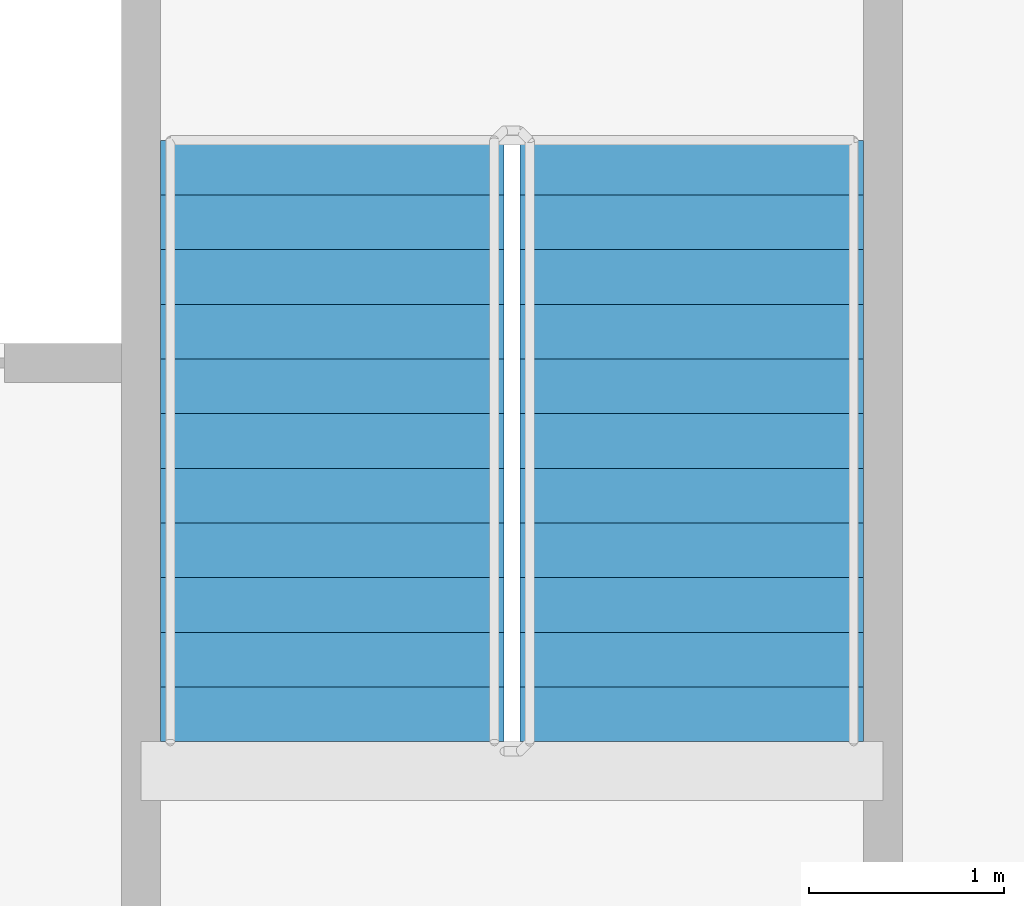
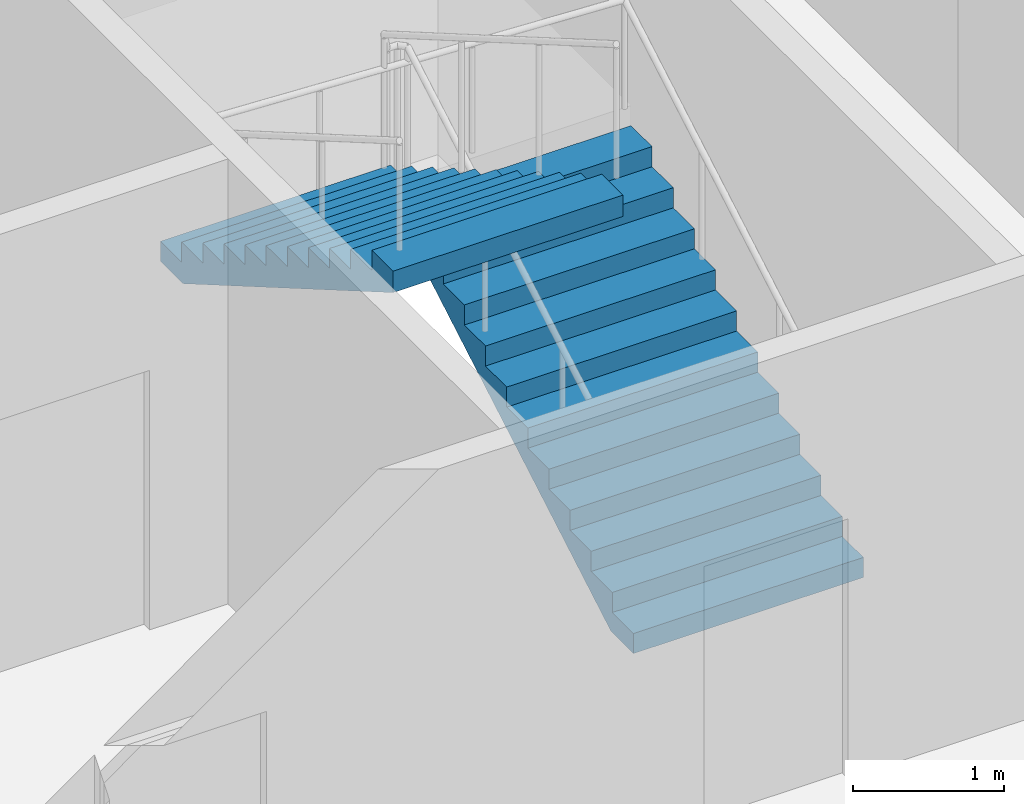
# One storey, part 10 of 11: 2 stair flights, 1 element without a shape of its own.
"""IFC4 building model written with IfcOpenShell, lengths in metres."""

import ifcopenshell
import ifcopenshell.guid

model = None  # the IFC model being written
_history = None  # IfcOwnerHistory: only IFC2X3 demands one
_inside = {}  # id of a spatial element -> (the spatial element, [elements in it])
_under = {}  # id of a project, library or spatial element -> (it, [spatial elements below it])
_declared = {}  # id of a project -> (the project, [libraries it declares])
_typed = {}  # id of a type object -> (the type object, [elements of that type])
_made_of = {}  # id of a material, layer set ... -> (it, [elements and type objects made of it])


def new_model(schema):
    """Start an empty IFC model of exactly this schema.

    Asked for "IFC4X3", IfcOpenShell would pick the latest addendum, in which some entities
    have other attributes; the version numbers below select the first issue.
    IFC2X3 requires an IfcOwnerHistory on every rooted entity: one is made here for all.
    """
    global model, _history
    if schema == "IFC4X3":
        model = ifcopenshell.file(schema_version=(4, 3, 0, 0))
    else:
        model = ifcopenshell.file(schema=schema)
    _inside.clear()
    _under.clear()
    _declared.clear()
    _typed.clear()
    _made_of.clear()
    _history = None
    if model.schema == "IFC2X3":
        org = make("IfcOrganization", Name="unknown")
        user = make(
            "IfcPersonAndOrganization",
            ThePerson=make("IfcPerson", FamilyName="unknown"),
            TheOrganization=org,
        )
        app = make(
            "IfcApplication",
            ApplicationDeveloper=org,
            Version="unknown",
            ApplicationFullName="unknown",
            ApplicationIdentifier="unknown",
        )
        _history = make(
            "IfcOwnerHistory",
            OwningUser=user,
            OwningApplication=app,
            ChangeAction="ADDED",
            CreationDate=0,
        )
    return model


def make(cls, **values):
    """One entity of the class cls with the attributes given. An attribute that is None is left unset."""
    return model.create_entity(
        cls, **{name: value for name, value in values.items() if value is not None}
    )


def rooted(cls, **values):
    """An entity with a GlobalId (a new one), such as an element, a storey or a relation."""
    return make(cls, GlobalId=ifcopenshell.guid.new(), OwnerHistory=_history, **values)


def si_unit(unit_type, name, prefix=None):
    """IfcSIUnit, for example si_unit("LENGTHUNIT", "METRE", prefix="MILLI")."""
    return make("IfcSIUnit", UnitType=unit_type, Prefix=prefix, Name=name)


def assignment(units):
    """IfcUnitAssignment: the units of a project."""
    return None if units is None else make("IfcUnitAssignment", Units=units)


def point(xyz):
    """IfcCartesianPoint."""
    return None if xyz is None else make("IfcCartesianPoint", Coordinates=xyz)


def direction(xyz):
    """IfcDirection."""
    return None if xyz is None else make("IfcDirection", DirectionRatios=xyz)


def frame(location, z_axis=None, x_axis=None):
    """IfcAxis2Placement3D, a coordinate frame: its origin and axes. An axis left out is left unset."""
    return make(
        "IfcAxis2Placement3D",
        Location=point(location),
        Axis=direction(z_axis),
        RefDirection=direction(x_axis),
    )


def origin():
    """The frame at (0, 0, 0) with its axes left unset."""
    return frame((0.0, 0.0, 0.0))


def place(relative_to, where):
    """IfcLocalPlacement: puts the frame where relative to a parent placement (None: the world)."""
    return make(
        "IfcLocalPlacement", PlacementRelTo=relative_to, RelativePlacement=where
    )


def context(
    kind, dimensions, precision=None, world=None, true_north=None, identifier=None
):
    """IfcGeometricRepresentationContext, for example the 3D "Model" context."""
    return make(
        "IfcGeometricRepresentationContext",
        ContextIdentifier=identifier,
        ContextType=kind,
        CoordinateSpaceDimension=dimensions,
        Precision=precision,
        WorldCoordinateSystem=world,
        TrueNorth=true_north,
    )


def subcontext(parent, identifier, kind, view, scale=None):
    """IfcGeometricRepresentationSubContext, for example "Body" below "Model"."""
    return make(
        "IfcGeometricRepresentationSubContext",
        ContextIdentifier=identifier,
        ContextType=kind,
        ParentContext=parent,
        TargetScale=scale,
        TargetView=view,
    )


def project(units=None, contexts=None):
    """IfcProject with its units and contexts."""
    return rooted(
        "IfcProject",
        Name="project",
        RepresentationContexts=contexts,
        UnitsInContext=assignment(units),
    )


def spatial(cls, under=None, at=None, **own):
    """A site, building, storey or space (cls), placed at a placement, below another one or the project."""
    s = rooted(cls, ObjectPlacement=at, **own)
    if under is not None:
        _under.setdefault(under.id(), (under, []))[1].append(s)
    return s


def faces_of(points, faces, orient=None, outer=None):
    """IfcFace entities. A face is a list of loops; a loop is a list of indices into points, from 0.

    orient and outer hold one flag for each loop. By default every Orientation is true, the
    first loop of a face is its IfcFaceOuterBound and the others are IfcFaceBound.
    """
    made = []
    for i, loops in enumerate(faces):
        bounds = []
        for j, loop in enumerate(loops):
            is_outer = j == 0 if outer is None else outer[i][j]
            bounds.append(
                make(
                    "IfcFaceOuterBound" if is_outer else "IfcFaceBound",
                    Bound=make("IfcPolyLoop", Polygon=[points[k] for k in loop]),
                    Orientation=True if orient is None else orient[i][j],
                )
            )
        made.append(make("IfcFace", Bounds=bounds))
    return made


def faceted_brep(points, faces, orient=None, outer=None, voids=None):
    """IfcFacetedBrep: a solid bounded by flat faces; with voids (closed shells), ...WithVoids."""
    shared = [point(p) for p in points]
    hull = make("IfcClosedShell", CfsFaces=faces_of(shared, faces, orient, outer))
    if voids is None:
        return make("IfcFacetedBrep", Outer=hull)
    return make(
        "IfcFacetedBrepWithVoids",
        Outer=hull,
        Voids=[
            make(cls, CfsFaces=faces_of(shared, fs, o, b)) for cls, fs, o, b in voids
        ],
    )


def shape(context_of_items, identifier, shape_type, items):
    """IfcShapeRepresentation: the items that make up one representation, for example the "Body"."""
    return make(
        "IfcShapeRepresentation",
        ContextOfItems=context_of_items,
        RepresentationIdentifier=identifier,
        RepresentationType=shape_type,
        Items=items,
    )


def material(Name=None, Category=None):
    """IfcMaterial."""
    return make("IfcMaterial", Name=Name, Category=Category)


def made_of(thing, what):
    """Note that an element or type object is made of a material, layer set ...; save() writes the relation."""
    if what is not None:
        _made_of.setdefault(what.id(), (what, []))[1].append(thing)
    return thing


def type_object(cls, material=None, **own):
    """A type object (cls), such as IfcWallType, which elements share."""
    return made_of(rooted(cls, **own), material)


def element(
    cls,
    number,
    at=None,
    inside=None,
    cuts=None,
    type_object=None,
    material=None,
    context=None,
    identifier="Body",
    shape_type=None,
    held_by="IfcProductDefinitionShape",
    body=None,
    shapes=None,
    **own,
):
    """One element of the class cls, such as IfcWall. Its Tag is "e" and its number.

    at: its placement. inside: the storey or other place that contains it. cuts: it is an
    opening in that element (IfcRelVoidsElement). A single representation is given by context,
    identifier, shape_type and body (its items); several are given by shapes. held_by: the class
    of the entity that holds the representations. save() writes the other relations.
    """
    e = rooted(cls, Tag="e%d" % number, ObjectPlacement=at, **own)
    if body is not None:
        shapes = [shape(context, identifier, shape_type, body)]
    if shapes is not None:
        e.Representation = make(held_by, Representations=shapes)
    if inside is not None:
        _inside.setdefault(inside.id(), (inside, []))[1].append(e)
    if cuts is not None:
        rooted(
            "IfcRelVoidsElement", RelatingBuildingElement=cuts, RelatedOpeningElement=e
        )
    if type_object is not None:
        _typed.setdefault(type_object.id(), (type_object, []))[1].append(e)
    return made_of(e, material)


def aggregate(whole, parts):
    """IfcRelAggregates: a whole, such as a stair, and the parts it consists of."""
    return rooted("IfcRelAggregates", RelatingObject=whole, RelatedObjects=parts)


def save(model, path):
    """Write the relations noted so far, then the file.

    IfcRelAggregates (storeys below a building ...), IfcRelContainedInSpatialStructure (elements
    in a storey), IfcRelDefinesByType, IfcRelAssociatesMaterial and IfcRelDeclares: one each for
    every whole, place, type object, material and project.
    """
    for whole, parts in _under.values():
        aggregate(whole, parts)
    for where, things in _inside.values():
        rooted(
            "IfcRelContainedInSpatialStructure",
            RelatedElements=things,
            RelatingStructure=where,
        )
    for kind, things in _typed.values():
        rooted("IfcRelDefinesByType", RelatedObjects=things, RelatingType=kind)
    for what, things in _made_of.values():
        rooted("IfcRelAssociatesMaterial", RelatedObjects=things, RelatingMaterial=what)
    for by, libraries in _declared.values():
        rooted("IfcRelDeclares", RelatingContext=by, RelatedDefinitions=libraries)
    model.write(path)


model = new_model("IFC4")

# Units and contexts
model_context = context("Model", 3, precision=1e-05, world=origin(), true_north=direction((0.0, 1.0)))
body_context = subcontext(model_context, "Body", "Model", "MODEL_VIEW")
ifc_project = project(units=[si_unit("LENGTHUNIT", "METRE"), si_unit("AREAUNIT", "SQUARE_METRE"), si_unit("VOLUMEUNIT", "CUBIC_METRE"), si_unit("PLANEANGLEUNIT", "RADIAN"), si_unit("MASSUNIT", "GRAM", prefix="KILO")], contexts=[model_context])

# Site, building, storey
site_placement = place(None, origin())
site = spatial("IfcSite", under=ifc_project, at=site_placement, CompositionType="ELEMENT")
building_placement = place(site_placement, origin())
building = spatial("IfcBuilding", under=site, at=building_placement, Name="Tarsis Ring Headquarters", CompositionType="ELEMENT")
storey_placement = place(building_placement, frame((0.0, 0.0, 190.5)))
storey = spatial("IfcBuildingStorey", under=building, at=storey_placement, Name="L44", CompositionType="ELEMENT", Elevation=190.5)

# Stair, stair flights
ifc_material_1 = material(Name="Core stair 1760")
stair_type = type_object("IfcStairType", Name="Core stair 1760", PredefinedType="HALF_TURN_STAIR", material=ifc_material_1)
stair_placement = place(storey_placement, origin())
stair = element("IfcStair", 1, at=stair_placement, inside=storey, type_object=stair_type, Name="L44 Exit stair B", PredefinedType="HALF_TURN_STAIR")
ifc_material_2 = material(Name="Concrete C40/50", Category="concrete")
stair_flight_type = type_object("IfcStairFlightType", Name="Core stair flight 1760", PredefinedType="STRAIGHT", material=ifc_material_2)
stair_flight_1_placement = place(storey_placement, frame((5.419921875, 3.659912109375, 0.0), z_axis=(0.0, 0.0, 1.0), x_axis=(0.0, 1.0, 0.0)))
stair_flight_1 = element("IfcStairFlight", 2, at=stair_flight_1_placement, type_object=stair_flight_type, Name="Stair ST2 flight 1", NumberOfRisers=12, NumberOfTreads=11, PredefinedType="STRAIGHT", RiserHeight=0.1625, TreadLength=0.28, context=body_context, shape_type="Brep", body=[
    faceted_brep([(0.0, 0.8798828125, 0.0), (0.0, 0.8798828125, 0.16259765625), (0.280029296875, 0.8798828125, 0.16259765625), (0.280029296875, 0.8798828125, 0.324951171875), (0.56005859375, 0.8798828125, 0.324951171875), (0.56005859375, 0.8798828125, 0.487548828125), (0.840087890625, 0.8798828125, 0.487548828125), (0.840087890625, 0.8798828125, 0.64990234375), (1.1201171875, 0.8798828125, 0.64990234375), (1.1201171875, 0.8798828125, 0.8125), (1.39990234375, 0.8798828125, 0.8125), (1.39990234375, 0.8798828125, 0.97509765625), (1.679931640625, 0.8798828125, 0.97509765625), (1.679931640625, 0.8798828125, 1.137451171875), (1.9599609375, 0.8798828125, 1.137451171875), (1.9599609375, 0.8798828125, 1.300048828125), (2.239990234375, 0.8798828125, 1.300048828125), (2.239990234375, 0.8798828125, 1.46240234375), (2.52001953125, 0.8798828125, 1.46240234375), (2.52001953125, 0.8798828125, 1.625), (2.800048828125, 0.8798828125, 1.625), (2.800048828125, 0.8798828125, 1.78759765625), (3.080078125, 0.8798828125, 1.78759765625), (3.080078125, 0.8798828125, 1.6142578125), (0.298583984375, 0.8798828125, 0.0), (0.298583984375, -0.8798828125, 0.0), (3.080078125, -0.8798828125, 1.6142578125), (3.080078125, -0.8798828125, 1.78759765625), (2.800048828125, -0.8798828125, 1.78759765625), (2.800048828125, -0.8798828125, 1.625), (2.52001953125, -0.8798828125, 1.625), (2.52001953125, -0.8798828125, 1.46240234375), (2.239990234375, -0.8798828125, 1.46240234375), (2.239990234375, -0.8798828125, 1.300048828125), (1.9599609375, -0.8798828125, 1.300048828125), (1.9599609375, -0.8798828125, 1.137451171875), (1.679931640625, -0.8798828125, 1.137451171875), (1.679931640625, -0.8798828125, 0.97509765625), (1.39990234375, -0.8798828125, 0.97509765625), (1.39990234375, -0.8798828125, 0.8125), (1.1201171875, -0.8798828125, 0.8125), (1.1201171875, -0.8798828125, 0.64990234375), (0.840087890625, -0.8798828125, 0.64990234375), (0.840087890625, -0.8798828125, 0.487548828125), (0.56005859375, -0.8798828125, 0.487548828125), (0.56005859375, -0.8798828125, 0.324951171875), (0.280029296875, -0.8798828125, 0.324951171875), (0.280029296875, -0.8798828125, 0.16259765625), (0.0, -0.8798828125, 0.16259765625), (0.0, -0.8798828125, 0.0), (0.0, -0.43994140625, 0.16259765625), (0.0, -0.43994140625, 0.0), (0.0, 0.0, 0.16259765625), (0.0, 0.0, 0.0), (0.0, 0.43994140625, 0.16259765625), (0.0, 0.43994140625, 0.0), (0.280029296875, -0.43994140625, 0.16259765625), (0.280029296875, 0.0, 0.16259765625), (0.280029296875, 0.43994140625, 0.16259765625), (0.280029296875, -0.43994140625, 0.324951171875), (0.280029296875, 0.0, 0.324951171875), (0.280029296875, 0.43994140625, 0.324951171875), (0.56005859375, -0.43994140625, 0.324951171875), (0.56005859375, 0.0, 0.324951171875), (0.56005859375, 0.43994140625, 0.324951171875), (0.56005859375, -0.43994140625, 0.487548828125), (0.56005859375, 0.0, 0.487548828125), (0.56005859375, 0.43994140625, 0.487548828125), (0.840087890625, -0.43994140625, 0.487548828125), (0.840087890625, 0.0, 0.487548828125), (0.840087890625, 0.43994140625, 0.487548828125), (0.840087890625, -0.43994140625, 0.64990234375), (0.840087890625, 0.0, 0.64990234375), (0.840087890625, 0.43994140625, 0.64990234375), (1.1201171875, -0.43994140625, 0.64990234375), (1.1201171875, 0.0, 0.64990234375), (1.1201171875, 0.43994140625, 0.64990234375), (1.1201171875, -0.43994140625, 0.8125), (1.1201171875, 0.0, 0.8125), (1.1201171875, 0.43994140625, 0.8125), (1.39990234375, -0.43994140625, 0.8125), (1.39990234375, 0.0, 0.8125), (1.39990234375, 0.43994140625, 0.8125), (1.39990234375, -0.43994140625, 0.97509765625), (1.39990234375, 0.0, 0.97509765625), (1.39990234375, 0.43994140625, 0.97509765625), (1.679931640625, -0.43994140625, 0.97509765625), (1.679931640625, 0.0, 0.97509765625), (1.679931640625, 0.43994140625, 0.97509765625), (1.679931640625, -0.43994140625, 1.137451171875), (1.679931640625, 0.0, 1.137451171875), (1.679931640625, 0.43994140625, 1.137451171875), (1.9599609375, -0.43994140625, 1.137451171875), (1.9599609375, 0.0, 1.137451171875), (1.9599609375, 0.43994140625, 1.137451171875), (1.9599609375, -0.43994140625, 1.300048828125), (1.9599609375, 0.0, 1.300048828125), (1.9599609375, 0.43994140625, 1.300048828125), (2.239990234375, -0.43994140625, 1.300048828125), (2.239990234375, 0.0, 1.300048828125), (2.239990234375, 0.43994140625, 1.300048828125), (2.239990234375, -0.43994140625, 1.46240234375), (2.239990234375, 0.0, 1.46240234375), (2.239990234375, 0.43994140625, 1.46240234375), (2.52001953125, -0.43994140625, 1.46240234375), (2.52001953125, 0.0, 1.46240234375), (2.52001953125, 0.43994140625, 1.46240234375), (2.52001953125, -0.43994140625, 1.625), (2.52001953125, 0.0, 1.625), (2.52001953125, 0.43994140625, 1.625), (2.800048828125, -0.43994140625, 1.625), (2.800048828125, 0.0, 1.625), (2.800048828125, 0.43994140625, 1.625), (2.800048828125, -0.43994140625, 1.78759765625), (2.800048828125, 0.0, 1.78759765625), (2.800048828125, 0.43994140625, 1.78759765625), (3.080078125, -0.43994140625, 1.78759765625), (3.080078125, 0.0, 1.78759765625), (3.080078125, 0.43994140625, 1.78759765625), (3.080078125, -0.43994140625, 1.6142578125), (3.080078125, 0.0, 1.6142578125), (3.080078125, 0.43994140625, 1.6142578125), (0.298583984375, -0.43994140625, 0.0), (0.298583984375, 0.0, 0.0), (0.298583984375, 0.43994140625, 0.0)], [[[0, 1, 2, 3, 4, 5, 6, 7, 8, 9, 10, 11, 12, 13, 14, 15, 16, 17, 18, 19, 20, 21, 22, 23, 24]], [[25, 26, 27, 28, 29, 30, 31, 32, 33, 34, 35, 36, 37, 38, 39, 40, 41, 42, 43, 44, 45, 46, 47, 48, 49]], [[49, 48, 50, 51]], [[51, 50, 52, 53]], [[53, 52, 54, 55]], [[55, 54, 1, 0]], [[48, 47, 56, 50]], [[50, 56, 57, 52]], [[52, 57, 58, 54]], [[54, 58, 2, 1]], [[47, 46, 59, 56]], [[56, 59, 60, 57]], [[57, 60, 61, 58]], [[58, 61, 3, 2]], [[46, 45, 62, 59]], [[59, 62, 63, 60]], [[60, 63, 64, 61]], [[61, 64, 4, 3]], [[45, 44, 65, 62]], [[62, 65, 66, 63]], [[63, 66, 67, 64]], [[64, 67, 5, 4]], [[44, 43, 68, 65]], [[65, 68, 69, 66]], [[66, 69, 70, 67]], [[67, 70, 6, 5]], [[43, 42, 71, 68]], [[68, 71, 72, 69]], [[69, 72, 73, 70]], [[70, 73, 7, 6]], [[42, 41, 74, 71]], [[71, 74, 75, 72]], [[72, 75, 76, 73]], [[73, 76, 8, 7]], [[41, 40, 77, 74]], [[74, 77, 78, 75]], [[75, 78, 79, 76]], [[76, 79, 9, 8]], [[40, 39, 80, 77]], [[77, 80, 81, 78]], [[78, 81, 82, 79]], [[79, 82, 10, 9]], [[39, 38, 83, 80]], [[80, 83, 84, 81]], [[81, 84, 85, 82]], [[82, 85, 11, 10]], [[38, 37, 86, 83]], [[83, 86, 87, 84]], [[84, 87, 88, 85]], [[85, 88, 12, 11]], [[37, 36, 89, 86]], [[86, 89, 90, 87]], [[87, 90, 91, 88]], [[88, 91, 13, 12]], [[36, 35, 92, 89]], [[89, 92, 93, 90]], [[90, 93, 94, 91]], [[91, 94, 14, 13]], [[35, 34, 95, 92]], [[92, 95, 96, 93]], [[93, 96, 97, 94]], [[94, 97, 15, 14]], [[34, 33, 98, 95]], [[95, 98, 99, 96]], [[96, 99, 100, 97]], [[97, 100, 16, 15]], [[33, 32, 101, 98]], [[98, 101, 102, 99]], [[99, 102, 103, 100]], [[100, 103, 17, 16]], [[32, 31, 104, 101]], [[101, 104, 105, 102]], [[102, 105, 106, 103]], [[103, 106, 18, 17]], [[31, 30, 107, 104]], [[104, 107, 108, 105]], [[105, 108, 109, 106]], [[106, 109, 19, 18]], [[30, 29, 110, 107]], [[107, 110, 111, 108]], [[108, 111, 112, 109]], [[109, 112, 20, 19]], [[29, 28, 113, 110]], [[110, 113, 114, 111]], [[111, 114, 115, 112]], [[112, 115, 21, 20]], [[28, 27, 116, 113]], [[113, 116, 117, 114]], [[114, 117, 118, 115]], [[115, 118, 22, 21]], [[27, 26, 119, 116]], [[116, 119, 120, 117]], [[117, 120, 121, 118]], [[118, 121, 23, 22]], [[26, 25, 122, 119]], [[119, 122, 123, 120]], [[120, 123, 124, 121]], [[121, 124, 24, 23]], [[25, 49, 51, 122]], [[122, 51, 53, 123]], [[123, 53, 55, 124]], [[124, 55, 0, 24]]]),
])
stair_flight_2_placement = place(storey_placement, frame((3.580078125, 6.739990234375, 1.949951171875), z_axis=(0.0, 0.0, 1.0), x_axis=(0.0, -1.0, 0.0)))
stair_flight_2 = element("IfcStairFlight", 3, at=stair_flight_2_placement, type_object=stair_flight_type, Name="Stair ST2 flight 2", NumberOfRisers=12, NumberOfTreads=11, PredefinedType="STRAIGHT", RiserHeight=0.1625, TreadLength=0.28, context=body_context, shape_type="Brep", body=[
    faceted_brep([(0.0, 0.8798828125, 0.0), (0.0, 0.8798828125, 0.16259765625), (0.280029296875, 0.8798828125, 0.16259765625), (0.280029296875, 0.8798828125, 0.324951171875), (0.56005859375, 0.8798828125, 0.324951171875), (0.56005859375, 0.8798828125, 0.487548828125), (0.840087890625, 0.8798828125, 0.487548828125), (0.840087890625, 0.8798828125, 0.64990234375), (1.1201171875, 0.8798828125, 0.64990234375), (1.1201171875, 0.8798828125, 0.8125), (1.39990234375, 0.8798828125, 0.8125), (1.39990234375, 0.8798828125, 0.97509765625), (1.679931640625, 0.8798828125, 0.97509765625), (1.679931640625, 0.8798828125, 1.137451171875), (1.9599609375, 0.8798828125, 1.137451171875), (1.9599609375, 0.8798828125, 1.300048828125), (2.239990234375, 0.8798828125, 1.300048828125), (2.239990234375, 0.8798828125, 1.46240234375), (2.52001953125, 0.8798828125, 1.46240234375), (2.52001953125, 0.8798828125, 1.625), (2.800048828125, 0.8798828125, 1.625), (2.800048828125, 0.8798828125, 1.78759765625), (3.080078125, 0.8798828125, 1.78759765625), (3.080078125, 0.8798828125, 1.6142578125), (0.298583984375, 0.8798828125, 0.0), (0.298583984375, -0.8798828125, 0.0), (3.080078125, -0.8798828125, 1.6142578125), (3.080078125, -0.8798828125, 1.78759765625), (2.800048828125, -0.8798828125, 1.78759765625), (2.800048828125, -0.8798828125, 1.625), (2.52001953125, -0.8798828125, 1.625), (2.52001953125, -0.8798828125, 1.46240234375), (2.239990234375, -0.8798828125, 1.46240234375), (2.239990234375, -0.8798828125, 1.300048828125), (1.9599609375, -0.8798828125, 1.300048828125), (1.9599609375, -0.8798828125, 1.137451171875), (1.679931640625, -0.8798828125, 1.137451171875), (1.679931640625, -0.8798828125, 0.97509765625), (1.39990234375, -0.8798828125, 0.97509765625), (1.39990234375, -0.8798828125, 0.8125), (1.1201171875, -0.8798828125, 0.8125), (1.1201171875, -0.8798828125, 0.64990234375), (0.840087890625, -0.8798828125, 0.64990234375), (0.840087890625, -0.8798828125, 0.487548828125), (0.56005859375, -0.8798828125, 0.487548828125), (0.56005859375, -0.8798828125, 0.324951171875), (0.280029296875, -0.8798828125, 0.324951171875), (0.280029296875, -0.8798828125, 0.16259765625), (0.0, -0.8798828125, 0.16259765625), (0.0, -0.8798828125, 0.0), (0.0, -0.43994140625, 0.16259765625), (0.0, -0.43994140625, 0.0), (0.0, 0.0, 0.16259765625), (0.0, 0.0, 0.0), (0.0, 0.43994140625, 0.16259765625), (0.0, 0.43994140625, 0.0), (0.280029296875, -0.43994140625, 0.16259765625), (0.280029296875, 0.0, 0.16259765625), (0.280029296875, 0.43994140625, 0.16259765625), (0.280029296875, -0.43994140625, 0.324951171875), (0.280029296875, 0.0, 0.324951171875), (0.280029296875, 0.43994140625, 0.324951171875), (0.56005859375, -0.43994140625, 0.324951171875), (0.56005859375, 0.0, 0.324951171875), (0.56005859375, 0.43994140625, 0.324951171875), (0.56005859375, -0.43994140625, 0.487548828125), (0.56005859375, 0.0, 0.487548828125), (0.56005859375, 0.43994140625, 0.487548828125), (0.840087890625, -0.43994140625, 0.487548828125), (0.840087890625, 0.0, 0.487548828125), (0.840087890625, 0.43994140625, 0.487548828125), (0.840087890625, -0.43994140625, 0.64990234375), (0.840087890625, 0.0, 0.64990234375), (0.840087890625, 0.43994140625, 0.64990234375), (1.1201171875, -0.43994140625, 0.64990234375), (1.1201171875, 0.0, 0.64990234375), (1.1201171875, 0.43994140625, 0.64990234375), (1.1201171875, -0.43994140625, 0.8125), (1.1201171875, 0.0, 0.8125), (1.1201171875, 0.43994140625, 0.8125), (1.39990234375, -0.43994140625, 0.8125), (1.39990234375, 0.0, 0.8125), (1.39990234375, 0.43994140625, 0.8125), (1.39990234375, -0.43994140625, 0.97509765625), (1.39990234375, 0.0, 0.97509765625), (1.39990234375, 0.43994140625, 0.97509765625), (1.679931640625, -0.43994140625, 0.97509765625), (1.679931640625, 0.0, 0.97509765625), (1.679931640625, 0.43994140625, 0.97509765625), (1.679931640625, -0.43994140625, 1.137451171875), (1.679931640625, 0.0, 1.137451171875), (1.679931640625, 0.43994140625, 1.137451171875), (1.9599609375, -0.43994140625, 1.137451171875), (1.9599609375, 0.0, 1.137451171875), (1.9599609375, 0.43994140625, 1.137451171875), (1.9599609375, -0.43994140625, 1.300048828125), (1.9599609375, 0.0, 1.300048828125), (1.9599609375, 0.43994140625, 1.300048828125), (2.239990234375, -0.43994140625, 1.300048828125), (2.239990234375, 0.0, 1.300048828125), (2.239990234375, 0.43994140625, 1.300048828125), (2.239990234375, -0.43994140625, 1.46240234375), (2.239990234375, 0.0, 1.46240234375), (2.239990234375, 0.43994140625, 1.46240234375), (2.52001953125, -0.43994140625, 1.46240234375), (2.52001953125, 0.0, 1.46240234375), (2.52001953125, 0.43994140625, 1.46240234375), (2.52001953125, -0.43994140625, 1.625), (2.52001953125, 0.0, 1.625), (2.52001953125, 0.43994140625, 1.625), (2.800048828125, -0.43994140625, 1.625), (2.800048828125, 0.0, 1.625), (2.800048828125, 0.43994140625, 1.625), (2.800048828125, -0.43994140625, 1.78759765625), (2.800048828125, 0.0, 1.78759765625), (2.800048828125, 0.43994140625, 1.78759765625), (3.080078125, -0.43994140625, 1.78759765625), (3.080078125, 0.0, 1.78759765625), (3.080078125, 0.43994140625, 1.78759765625), (3.080078125, -0.43994140625, 1.6142578125), (3.080078125, 0.0, 1.6142578125), (3.080078125, 0.43994140625, 1.6142578125), (0.298583984375, -0.43994140625, 0.0), (0.298583984375, 0.0, 0.0), (0.298583984375, 0.43994140625, 0.0)], [[[0, 1, 2, 3, 4, 5, 6, 7, 8, 9, 10, 11, 12, 13, 14, 15, 16, 17, 18, 19, 20, 21, 22, 23, 24]], [[25, 26, 27, 28, 29, 30, 31, 32, 33, 34, 35, 36, 37, 38, 39, 40, 41, 42, 43, 44, 45, 46, 47, 48, 49]], [[49, 48, 50, 51]], [[51, 50, 52, 53]], [[53, 52, 54, 55]], [[55, 54, 1, 0]], [[48, 47, 56, 50]], [[50, 56, 57, 52]], [[52, 57, 58, 54]], [[54, 58, 2, 1]], [[47, 46, 59, 56]], [[56, 59, 60, 57]], [[57, 60, 61, 58]], [[58, 61, 3, 2]], [[46, 45, 62, 59]], [[59, 62, 63, 60]], [[60, 63, 64, 61]], [[61, 64, 4, 3]], [[45, 44, 65, 62]], [[62, 65, 66, 63]], [[63, 66, 67, 64]], [[64, 67, 5, 4]], [[44, 43, 68, 65]], [[65, 68, 69, 66]], [[66, 69, 70, 67]], [[67, 70, 6, 5]], [[43, 42, 71, 68]], [[68, 71, 72, 69]], [[69, 72, 73, 70]], [[70, 73, 7, 6]], [[42, 41, 74, 71]], [[71, 74, 75, 72]], [[72, 75, 76, 73]], [[73, 76, 8, 7]], [[41, 40, 77, 74]], [[74, 77, 78, 75]], [[75, 78, 79, 76]], [[76, 79, 9, 8]], [[40, 39, 80, 77]], [[77, 80, 81, 78]], [[78, 81, 82, 79]], [[79, 82, 10, 9]], [[39, 38, 83, 80]], [[80, 83, 84, 81]], [[81, 84, 85, 82]], [[82, 85, 11, 10]], [[38, 37, 86, 83]], [[83, 86, 87, 84]], [[84, 87, 88, 85]], [[85, 88, 12, 11]], [[37, 36, 89, 86]], [[86, 89, 90, 87]], [[87, 90, 91, 88]], [[88, 91, 13, 12]], [[36, 35, 92, 89]], [[89, 92, 93, 90]], [[90, 93, 94, 91]], [[91, 94, 14, 13]], [[35, 34, 95, 92]], [[92, 95, 96, 93]], [[93, 96, 97, 94]], [[94, 97, 15, 14]], [[34, 33, 98, 95]], [[95, 98, 99, 96]], [[96, 99, 100, 97]], [[97, 100, 16, 15]], [[33, 32, 101, 98]], [[98, 101, 102, 99]], [[99, 102, 103, 100]], [[100, 103, 17, 16]], [[32, 31, 104, 101]], [[101, 104, 105, 102]], [[102, 105, 106, 103]], [[103, 106, 18, 17]], [[31, 30, 107, 104]], [[104, 107, 108, 105]], [[105, 108, 109, 106]], [[106, 109, 19, 18]], [[30, 29, 110, 107]], [[107, 110, 111, 108]], [[108, 111, 112, 109]], [[109, 112, 20, 19]], [[29, 28, 113, 110]], [[110, 113, 114, 111]], [[111, 114, 115, 112]], [[112, 115, 21, 20]], [[28, 27, 116, 113]], [[113, 116, 117, 114]], [[114, 117, 118, 115]], [[115, 118, 22, 21]], [[27, 26, 119, 116]], [[116, 119, 120, 117]], [[117, 120, 121, 118]], [[118, 121, 23, 22]], [[26, 25, 122, 119]], [[119, 122, 123, 120]], [[120, 123, 124, 121]], [[121, 124, 24, 23]], [[25, 49, 51, 122]], [[122, 51, 53, 123]], [[123, 53, 55, 124]], [[124, 55, 0, 24]]]),
])
aggregate(stair, [stair_flight_1, stair_flight_2])

save(model, "model.ifc")
